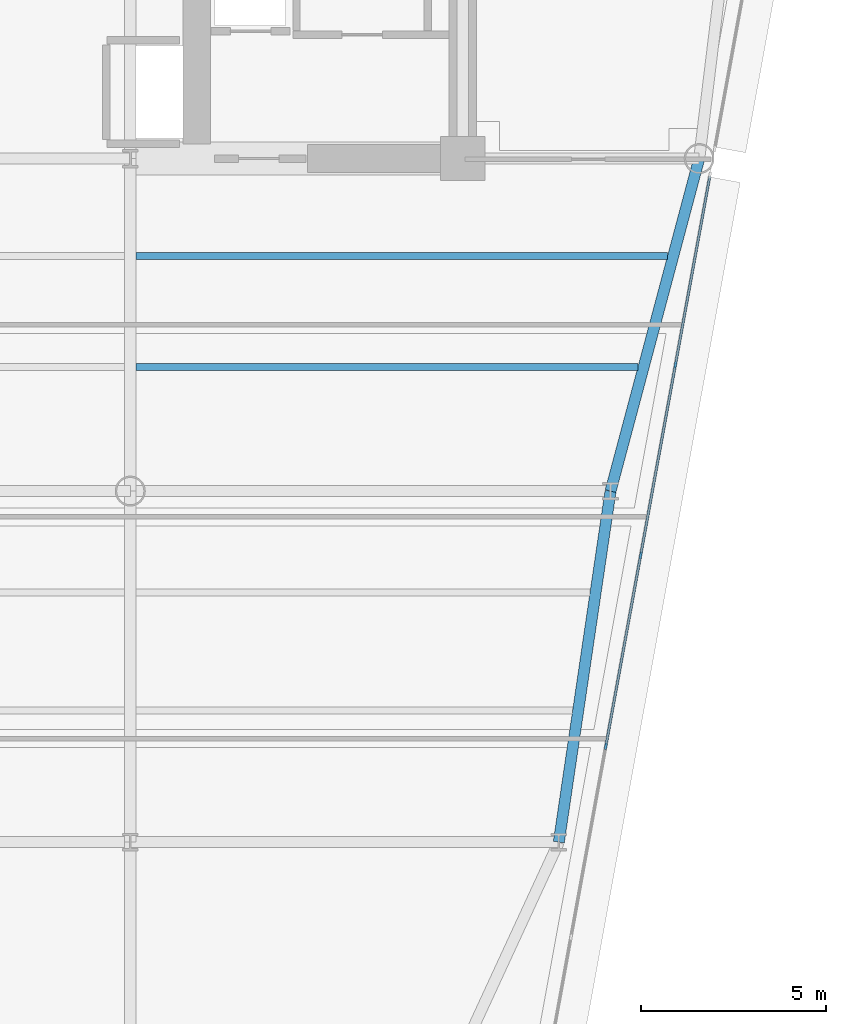
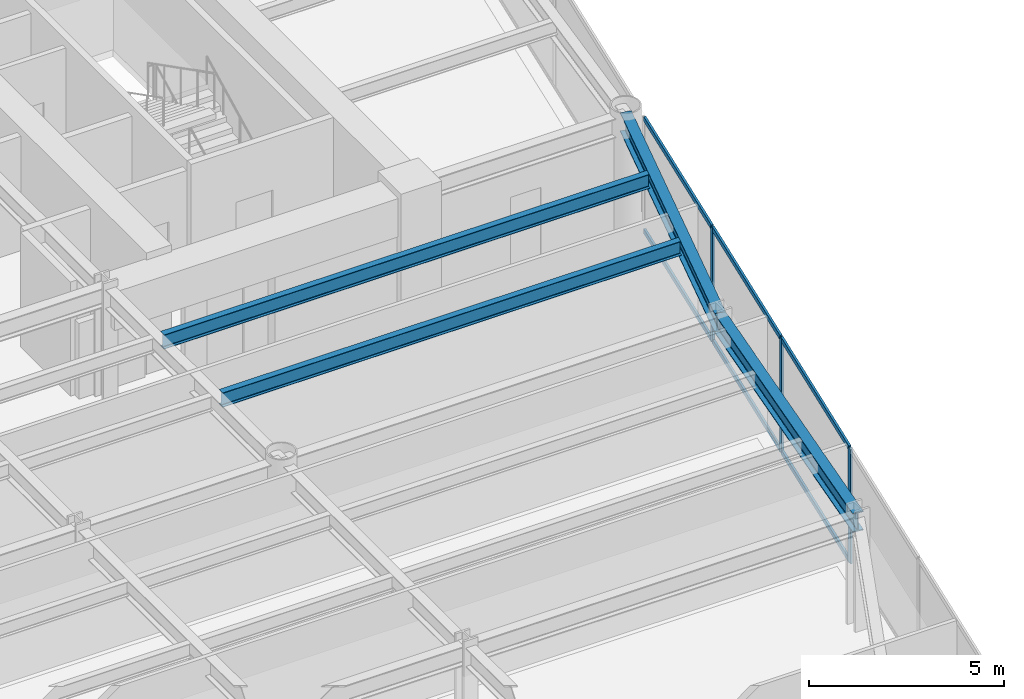
# One storey, part 6 of 17: 9 members, 4 beams, 1 element without a shape of its own.
"""IFC4 building model written with IfcOpenShell, lengths in metres."""

from ifc_helpers import new_model, si_unit, direction, frame, origin, origin_2d, place, context, subcontext, project, spatial, rectangle, i_section, extrude, source, transform, mapped, material, layer, layer_set, material_profile, profile_set, type_object, element, aggregate, save


model = new_model("IFC4")

# Units and contexts
model_context = context("Model", 3, precision=1e-05, world=origin(), true_north=direction((0.0, 1.0)))
body_context = subcontext(model_context, "Body", "Model", "MODEL_VIEW")
ifc_project = project(units=[si_unit("LENGTHUNIT", "METRE"), si_unit("AREAUNIT", "SQUARE_METRE"), si_unit("VOLUMEUNIT", "CUBIC_METRE"), si_unit("PLANEANGLEUNIT", "RADIAN"), si_unit("MASSUNIT", "GRAM", prefix="KILO")], contexts=[model_context])

# Site, building, storey
site_placement = place(None, origin())
site = spatial("IfcSite", under=ifc_project, at=site_placement, CompositionType="ELEMENT")
building_placement = place(site_placement, origin())
building = spatial("IfcBuilding", under=site, at=building_placement, Name="Vaeldorn Concourse Tower", CompositionType="ELEMENT")
storey_placement = place(building_placement, frame((0.0, 0.0, 161.39990234375)))
storey = spatial("IfcBuildingStorey", under=building, at=storey_placement, Name="L41", CompositionType="ELEMENT", Elevation=161.39990234375)

# Beams
ifc_material_1 = material(Name="Steel S355", Category="steel")
ifc_material_profile_1 = material_profile(ifc_material_1, i_section(OverallWidth=0.18994140625, OverallDepth=0.449951171875, WebThickness=0.009521484375, FlangeThickness=0.0146484375, FilletRadius=0.02099609375, at=origin_2d()), Name="IPE 450")
ifc_profile_set_1 = profile_set([ifc_material_profile_1], Name="Steel S355")
beam_type_1 = type_object("IfcBeamType", Name="BM-JS-IPE450", PredefinedType="JOIST", material=ifc_profile_set_1)
shared_shape_1 = source(origin(), body_context, "Body", "SweptSolid", [
    extrude(i_section(OverallWidth=0.18994140625, OverallDepth=0.449951171875, WebThickness=0.009521484375, FlangeThickness=0.0146484375, FilletRadius=0.02099609375, at=origin_2d()), origin(), (0.0, 0.0, 1.0), 13.59619140625),
])
beam_1_placement = place(storey_placement, frame((45.14990234375, 30.860107421875, 3.35498046875), z_axis=(1.0, 0.0, 0.0), x_axis=(0.0, 1.0, 0.0)))
element("IfcBeam", 1, at=beam_1_placement, inside=storey, type_object=beam_type_1, Name="Beam JS-L41-E1-308", PredefinedType="JOIST", context=body_context, shape_type="MappedRepresentation", body=[
    mapped(shared_shape_1, transform((0.0, 0.0, 0.0), scale=1.0)),
])
shared_shape_2 = source(origin(), body_context, "Body", "SweptSolid", [
    extrude(i_section(OverallWidth=0.18994140625, OverallDepth=0.449951171875, WebThickness=0.009521484375, FlangeThickness=0.0146484375, FilletRadius=0.02099609375, at=origin_2d()), origin(), (0.0, 0.0, 1.0), 14.39599609375),
])
beam_2_placement = place(storey_placement, frame((45.14990234375, 33.860107421875, 3.35498046875), z_axis=(1.0, 0.0, 0.0), x_axis=(0.0, 1.0, 0.0)))
element("IfcBeam", 2, at=beam_2_placement, inside=storey, type_object=beam_type_1, Name="Beam JS-L41-E1-338", PredefinedType="JOIST", context=body_context, shape_type="MappedRepresentation", body=[
    mapped(shared_shape_2, transform((0.0, 0.0, 0.0), scale=1.0)),
])
ifc_material_profile_2 = material_profile(ifc_material_1, i_section(OverallWidth=0.300048828125, OverallDepth=0.60009765625, WebThickness=0.015380859375, FlangeThickness=0.030029296875, FilletRadius=0.027099609375, at=origin_2d()), Name="HEB 600")
ifc_profile_set_2 = profile_set([ifc_material_profile_2], Name="Steel S355")
beam_type_2 = type_object("IfcBeamType", Name="BM-PG-HEB600", PredefinedType="BEAM", material=ifc_profile_set_2)
shared_shape_3 = source(origin(), body_context, "Body", "SweptSolid", [
    extrude(i_section(OverallWidth=0.300048828125, OverallDepth=0.60009765625, WebThickness=0.015380859375, FlangeThickness=0.030029296875, FilletRadius=0.027099609375, at=origin_2d()), origin(), (0.0, 0.0, 1.0), 9.314453125),
])
beam_3_placement = place(storey_placement, frame((60.39990234375, 36.5, 3.280029296875), z_axis=(-0.257652862255, -0.966237549763, 0.0), x_axis=(0.966237549763, -0.257652862255, 0.0)))
element("IfcBeam", 3, at=beam_3_placement, inside=storey, type_object=beam_type_2, Name="Beam BM-L41-C-NE2-C-FLE1", PredefinedType="BEAM", context=body_context, shape_type="MappedRepresentation", body=[
    mapped(shared_shape_3, transform((0.0, 0.0, 0.0), scale=1.0)),
])
shared_shape_4 = source(origin(), body_context, "Body", "SweptSolid", [
    extrude(i_section(OverallWidth=0.300048828125, OverallDepth=0.60009765625, WebThickness=0.015380859375, FlangeThickness=0.030029296875, FilletRadius=0.027099609375, at=origin_2d()), origin(), (0.0, 0.0, 1.0), 9.6025390625),
])
beam_4_placement = place(storey_placement, frame((58.0, 27.5, 3.280029296875), z_axis=(-0.145783835977, -0.989316467652, 0.0), x_axis=(0.989316467652, -0.145783835977, 0.0)))
element("IfcBeam", 4, at=beam_4_placement, inside=storey, type_object=beam_type_2, Name="Beam BM-L41-C-FLE1-C-FLE2", PredefinedType="BEAM", context=body_context, shape_type="MappedRepresentation", body=[
    mapped(shared_shape_4, transform((0.0, 0.0, 0.0), scale=1.0)),
])

# Curtain wall, members
ifc_material_2 = material(Name="Anodised Bronze Aluminium", Category="aluminium")
ifc_layer = layer(ifc_material_2, 0.18994140625)
ifc_layer_set = layer_set([ifc_layer], Name="Anodised Bronze Aluminium")
curtain_wall_type = type_object("IfcCurtainWallType", Name="CW-SYS-03", PredefinedType="NOTDEFINED", material=ifc_layer_set)
curtain_wall_placement = place(storey_placement, origin())
curtain_wall = element("IfcCurtainWall", 5, at=curtain_wall_placement, inside=storey, type_object=curtain_wall_type, Name="Unitised Curtain Wall CW-L41-E07-1", PredefinedType="NOTDEFINED")
ifc_material_profile_3 = material_profile(ifc_material_2, rectangle(XDim=0.06494140625, YDim=0.14990234375, at=origin_2d()), Name="CWT 65x150")
ifc_profile_set_3 = profile_set([ifc_material_profile_3], Name="Anodised Bronze Aluminium")
member_type_1 = type_object("IfcMemberType", Name="CWT-BRONZE-150", PredefinedType="USERDEFINED", material=ifc_profile_set_3)
shared_shape_5 = source(origin(), body_context, "Body", "SweptSolid", [
    extrude(rectangle(XDim=0.06494140625, YDim=0.14990234375, at=origin_2d()), origin(), (0.0, 0.0, 1.0), 5.151611328125),
])
member_1_placement = place(storey_placement, frame((59.762451171875, 30.95166015625, 0.03271484375), z_axis=(0.179473445995, 0.983762818053, 0.0), x_axis=(-0.983762818053, 0.179473445995, 0.0)))
member_1 = element("IfcMember", 6, at=member_1_placement, type_object=member_type_1, Name="CW-03 transom 6.1", ObjectType="TRANSOM", PredefinedType="USERDEFINED", context=body_context, shape_type="MappedRepresentation", body=[
    mapped(shared_shape_5, transform((0.0, 0.0, 0.0), scale=1.0)),
])
member_2_placement = place(storey_placement, frame((59.762451171875, 30.95166015625, 3.547607421875), z_axis=(0.179473445995, 0.983762818053, 0.0), x_axis=(-0.983762818053, 0.179473445995, 0.0)))
member_2 = element("IfcMember", 7, at=member_2_placement, type_object=member_type_1, Name="CW-03 transom 6.2", ObjectType="TRANSOM", PredefinedType="USERDEFINED", context=body_context, shape_type="MappedRepresentation", body=[
    mapped(shared_shape_5, transform((0.0, 0.0, 0.0), scale=1.0)),
])
shared_shape_6 = source(origin(), body_context, "Body", "SweptSolid", [
    extrude(rectangle(XDim=0.06494140625, YDim=0.14990234375, at=origin_2d()), origin(), (0.0, 0.0, 1.0), 5.18408203125),
])
member_3_placement = place(storey_placement, frame((57.878662109375, 20.623779296875, 0.03271484375), z_axis=(0.179432467646, 0.983770293084, 0.0), x_axis=(-0.983770293084, 0.179432467646, 0.0)))
member_3 = element("IfcMember", 8, at=member_3_placement, type_object=member_type_1, Name="CW-03 transom 4.1", ObjectType="TRANSOM", PredefinedType="USERDEFINED", context=body_context, shape_type="MappedRepresentation", body=[
    mapped(shared_shape_6, transform((0.0, 0.0, 0.0), scale=1.0)),
])
member_4_placement = place(storey_placement, frame((57.878662109375, 20.623779296875, 3.547607421875), z_axis=(0.179432467646, 0.983770293084, 0.0), x_axis=(-0.983770293084, 0.179432467646, 0.0)))
member_4 = element("IfcMember", 9, at=member_4_placement, type_object=member_type_1, Name="CW-03 transom 4.2", ObjectType="TRANSOM", PredefinedType="USERDEFINED", context=body_context, shape_type="MappedRepresentation", body=[
    mapped(shared_shape_6, transform((0.0, 0.0, 0.0), scale=1.0)),
])
shared_shape_7 = source(origin(), body_context, "Body", "SweptSolid", [
    extrude(rectangle(XDim=0.06494140625, YDim=0.14990234375, at=origin_2d()), origin(), (0.0, 0.0, 1.0), 5.184326171875),
])
member_5_placement = place(storey_placement, frame((58.820556640625, 25.78759765625, 0.03271484375), z_axis=(0.179424154775, 0.983771809254, 0.0), x_axis=(-0.983771809254, 0.179424154775, 0.0)))
member_5 = element("IfcMember", 10, at=member_5_placement, type_object=member_type_1, Name="CW-03 transom 5.1", ObjectType="TRANSOM", PredefinedType="USERDEFINED", context=body_context, shape_type="MappedRepresentation", body=[
    mapped(shared_shape_7, transform((0.0, 0.0, 0.0), scale=1.0)),
])
member_6_placement = place(storey_placement, frame((58.820556640625, 25.78759765625, 3.547607421875), z_axis=(0.179424154775, 0.983771809254, 0.0), x_axis=(-0.983771809254, 0.179424154775, 0.0)))
member_6 = element("IfcMember", 11, at=member_6_placement, type_object=member_type_1, Name="CW-03 transom 5.2", ObjectType="TRANSOM", PredefinedType="USERDEFINED", context=body_context, shape_type="MappedRepresentation", body=[
    mapped(shared_shape_7, transform((0.0, 0.0, 0.0), scale=1.0)),
])
ifc_material_profile_4 = material_profile(ifc_material_2, rectangle(XDim=0.06494140625, YDim=0.169921875, at=origin_2d()), Name="CWM 65x170")
ifc_profile_set_4 = profile_set([ifc_material_profile_4], Name="Anodised Bronze Aluminium")
member_type_2 = type_object("IfcMemberType", Name="CWM-BRONZE-170", PredefinedType="MULLION", material=ifc_profile_set_4)
shared_shape_8 = source(origin(), body_context, "Body", "SweptSolid", [
    extrude(rectangle(XDim=0.06494140625, YDim=0.169921875, at=origin_2d()), origin(), (0.0, 0.0, 1.0), 3.580078125),
])
member_7_placement = place(storey_placement, frame((57.872802734375, 20.591796875, 0.0), z_axis=(0.0, 0.0, 1.0), x_axis=(-0.983767841325, 0.179445909331, 0.0)))
member_7 = element("IfcMember", 12, at=member_7_placement, type_object=member_type_2, Name="CW-03 mullion 4", PredefinedType="MULLION", context=body_context, shape_type="MappedRepresentation", body=[
    mapped(shared_shape_8, transform((0.0, 0.0, 0.0), scale=1.0)),
])
member_8_placement = place(storey_placement, frame((58.814697265625, 25.755615234375, 0.0), z_axis=(0.0, 0.0, 1.0), x_axis=(-0.983767841325, 0.179445909331, 0.0)))
member_8 = element("IfcMember", 13, at=member_8_placement, type_object=member_type_2, Name="CW-03 mullion 5", PredefinedType="MULLION", context=body_context, shape_type="MappedRepresentation", body=[
    mapped(shared_shape_8, transform((0.0, 0.0, 0.0), scale=1.0)),
])
member_9_placement = place(storey_placement, frame((59.756591796875, 30.919677734375, 0.0), z_axis=(0.0, 0.0, 1.0), x_axis=(-0.983767841325, 0.179445909331, 0.0)))
member_9 = element("IfcMember", 14, at=member_9_placement, type_object=member_type_2, Name="CW-03 mullion 6", PredefinedType="MULLION", context=body_context, shape_type="MappedRepresentation", body=[
    mapped(shared_shape_8, transform((0.0, 0.0, 0.0), scale=1.0)),
])
aggregate(curtain_wall, [member_7, member_8, member_9, member_3, member_4, member_5, member_6, member_1, member_2])

save(model, "model.ifc")
